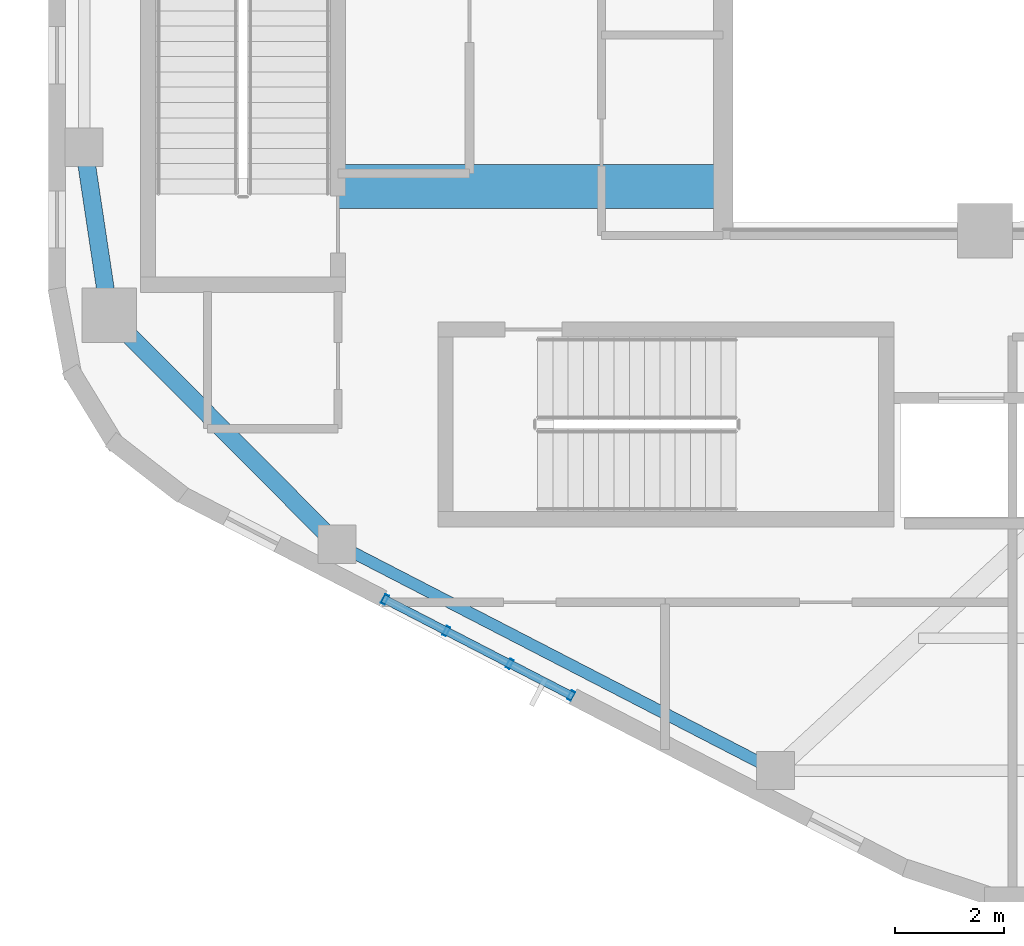
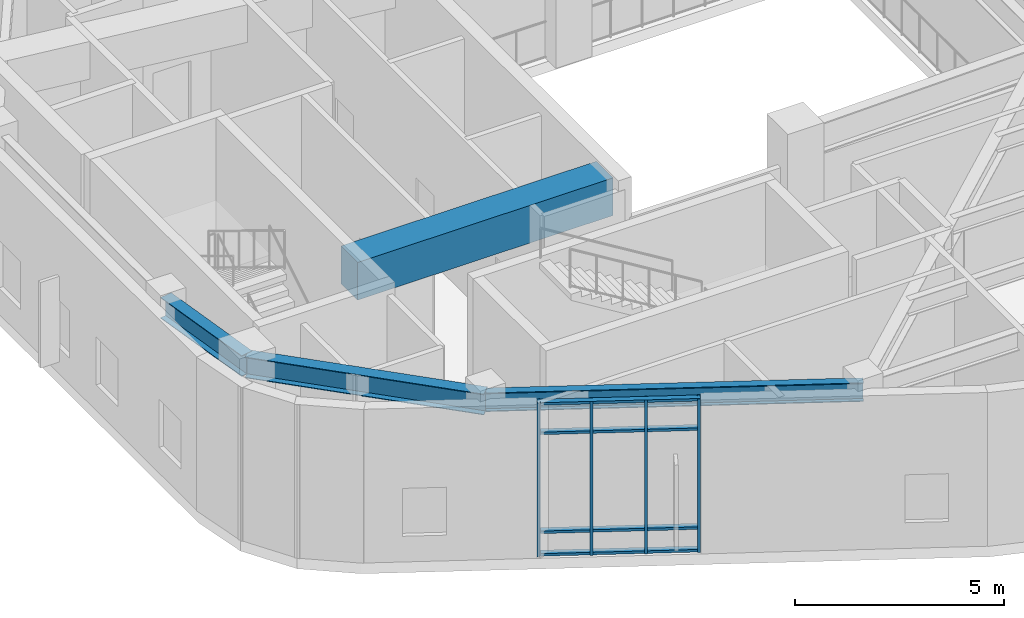
# One storey, part 2 of 19: 8 members, 4 beams, 1 element without a shape of its own.
"""IFC4 building model written with IfcOpenShell, lengths in metres."""

from ifc_helpers import new_model, si_unit, direction, frame, origin, origin_2d, place, context, subcontext, project, spatial, rectangle, hollow_rectangle, i_section, extrude, material, layer, layer_set, material_profile, profile_set, type_object, element, aggregate, save


model = new_model("IFC4")

# Units and contexts
model_context = context("Model", 3, precision=1e-05, world=origin(), true_north=direction((0.0, 1.0)))
body_context = subcontext(model_context, "Body", "Model", "MODEL_VIEW")
ifc_project = project(units=[si_unit("LENGTHUNIT", "METRE"), si_unit("AREAUNIT", "SQUARE_METRE"), si_unit("VOLUMEUNIT", "CUBIC_METRE"), si_unit("PLANEANGLEUNIT", "RADIAN"), si_unit("MASSUNIT", "GRAM", prefix="KILO"), si_unit("THERMODYNAMICTEMPERATUREUNIT", "KELVIN"), si_unit("POWERUNIT", "WATT")], contexts=[model_context])

# Site, building, storey
site_placement = place(None, origin())
site = spatial("IfcSite", under=ifc_project, at=site_placement, CompositionType="ELEMENT")
building_placement = place(site_placement, origin())
building = spatial("IfcBuilding", under=site, at=building_placement, Name="Skarre Station Tower", CompositionType="ELEMENT")
storey_placement = place(building_placement, frame((0.0, 0.0, 275.10009765625)))
storey = spatial("IfcBuildingStorey", under=building, at=storey_placement, Name="L75", CompositionType="ELEMENT", Elevation=275.10009765625)

# Curtain wall, members
ifc_material_1 = material(Name="Thermally Broken Bronze-Anodized Aluminium & Triple Low-E Glass", Category="aluminium")
ifc_layer = layer(ifc_material_1, 0.219970703125, Name="Thermally Broken Bronze-Anodized Aluminium & Triple Low-E Glass")
ifc_layer_set = layer_set([ifc_layer], Name="Thermally Broken Bronze-Anodized Aluminium & Triple Low-E Glass")
curtain_wall_type = type_object("IfcCurtainWallType", Name="Observation Deck Panorama Unitised Curtain Wall", PredefinedType="NOTDEFINED", material=ifc_layer_set)
curtain_wall_placement = place(storey_placement, origin())
curtain_wall = element("IfcCurtainWall", 1, at=curtain_wall_placement, inside=storey, type_object=curtain_wall_type, Name="L75 Facet 3 Observatory Curtain Wall", PredefinedType="NOTDEFINED")
ifc_material_2 = material(Name="Anodized Aluminium 6063-T6", Category="aluminium")
ifc_material_profile_1 = material_profile(ifc_material_2, hollow_rectangle(XDim=0.074951171875, YDim=0.14990234375, WallThickness=0.00390625, at=origin_2d()), Name="Anodized Aluminium 6063-T6")
ifc_profile_set_1 = profile_set([ifc_material_profile_1], Name="Anodized Aluminium 6063-T6")
member_type_1 = type_object("IfcMemberType", Name="Curtain-Wall Secondary Transom 150x75", PredefinedType="USERDEFINED", material=ifc_profile_set_1)
member_1_placement = place(storey_placement, frame((24.800048828125, 9.910888671875, 0.039794921875), z_axis=(-0.888483887895, 0.458907813128, 0.0), x_axis=(0.0, 0.0, 1.0)))
member_1 = element("IfcMember", 2, at=member_1_placement, type_object=member_type_1, Name="L75 Facet 3 Observatory Curtain Wall Transom 1", ObjectType="TRANSOM", PredefinedType="USERDEFINED", context=body_context, shape_type="SweptSolid", body=[
    extrude(hollow_rectangle(XDim=0.074951171875, YDim=0.14990234375, WallThickness=0.00390625, at=origin_2d()), origin(), (0.0, 0.0, 1.0), 3.92041015625),
])
member_2_placement = place(storey_placement, frame((24.800048828125, 9.910888671875, 0.699951171875), z_axis=(-0.888483887895, 0.458907813128, 0.0), x_axis=(0.0, 0.0, 1.0)))
member_2 = element("IfcMember", 3, at=member_2_placement, type_object=member_type_1, Name="L75 Facet 3 Observatory Curtain Wall Transom 2", ObjectType="TRANSOM", PredefinedType="USERDEFINED", context=body_context, shape_type="SweptSolid", body=[
    extrude(hollow_rectangle(XDim=0.074951171875, YDim=0.14990234375, WallThickness=0.00390625, at=origin_2d()), origin(), (0.0, 0.0, 1.0), 3.92041015625),
])
member_3_placement = place(storey_placement, frame((24.800048828125, 9.910888671875, 3.58984375), z_axis=(-0.888483887895, 0.458907813128, 0.0), x_axis=(0.0, 0.0, 1.0)))
member_3 = element("IfcMember", 4, at=member_3_placement, type_object=member_type_1, Name="L75 Facet 3 Observatory Curtain Wall Transom 3", ObjectType="TRANSOM", PredefinedType="USERDEFINED", context=body_context, shape_type="SweptSolid", body=[
    extrude(hollow_rectangle(XDim=0.074951171875, YDim=0.14990234375, WallThickness=0.00390625, at=origin_2d()), origin(), (0.0, 0.0, 1.0), 3.92041015625),
])
member_4_placement = place(storey_placement, frame((24.800048828125, 9.910888671875, 4.449951171875), z_axis=(-0.888483887895, 0.458907813128, 0.0), x_axis=(0.0, 0.0, 1.0)))
member_4 = element("IfcMember", 5, at=member_4_placement, type_object=member_type_1, Name="L75 Facet 3 Observatory Curtain Wall Transom 4", ObjectType="TRANSOM", PredefinedType="USERDEFINED", context=body_context, shape_type="SweptSolid", body=[
    extrude(hollow_rectangle(XDim=0.074951171875, YDim=0.14990234375, WallThickness=0.00390625, at=origin_2d()), origin(), (0.0, 0.0, 1.0), 3.92041015625),
])
ifc_material_profile_2 = material_profile(ifc_material_2, hollow_rectangle(XDim=0.074951171875, YDim=0.179931640625, WallThickness=0.00390625, at=origin_2d()), Name="Anodized Aluminium 6063-T6")
ifc_profile_set_2 = profile_set([ifc_material_profile_2], Name="Anodized Aluminium 6063-T6")
member_type_2 = type_object("IfcMemberType", Name="Curtain-Wall Unitised Tower Mullion 180x75", PredefinedType="MULLION", material=ifc_profile_set_2)
member_5_placement = place(storey_placement, frame((24.763916015625, 9.928955078125, 0.0), z_axis=(0.0, 0.0, 1.0), x_axis=(-0.88848110948, 0.458913192332, 0.0)))
member_5 = element("IfcMember", 6, at=member_5_placement, type_object=member_type_2, Name="L75 Facet 3 Observatory Curtain Wall Mullion 1", PredefinedType="MULLION", context=body_context, shape_type="SweptSolid", body=[
    extrude(hollow_rectangle(XDim=0.074951171875, YDim=0.179931640625, WallThickness=0.00390625, at=origin_2d()), origin(), (0.0, 0.0, 1.0), 4.489990234375),
])
member_6_placement = place(storey_placement, frame((23.638916015625, 10.510986328125, 0.0), z_axis=(0.0, 0.0, 1.0), x_axis=(-0.88848110948, 0.458913192332, 0.0)))
member_6 = element("IfcMember", 7, at=member_6_placement, type_object=member_type_2, Name="L75 Facet 3 Observatory Curtain Wall Mullion 2", PredefinedType="MULLION", context=body_context, shape_type="SweptSolid", body=[
    extrude(hollow_rectangle(XDim=0.074951171875, YDim=0.179931640625, WallThickness=0.00390625, at=origin_2d()), origin(), (0.0, 0.0, 1.0), 4.489990234375),
])
member_7_placement = place(storey_placement, frame((22.47802734375, 11.110107421875, 0.0), z_axis=(0.0, 0.0, 1.0), x_axis=(-0.88848110948, 0.458913192332, 0.0)))
member_7 = element("IfcMember", 8, at=member_7_placement, type_object=member_type_2, Name="L75 Facet 3 Observatory Curtain Wall Mullion 3", PredefinedType="MULLION", context=body_context, shape_type="SweptSolid", body=[
    extrude(hollow_rectangle(XDim=0.074951171875, YDim=0.179931640625, WallThickness=0.00390625, at=origin_2d()), origin(), (0.0, 0.0, 1.0), 4.489990234375),
])
member_8_placement = place(storey_placement, frame((21.35302734375, 11.69189453125, 0.0), z_axis=(0.0, 0.0, 1.0), x_axis=(-0.88848110948, 0.458913192332, 0.0)))
member_8 = element("IfcMember", 9, at=member_8_placement, type_object=member_type_2, Name="L75 Facet 3 Observatory Curtain Wall Mullion 4", PredefinedType="MULLION", context=body_context, shape_type="SweptSolid", body=[
    extrude(hollow_rectangle(XDim=0.074951171875, YDim=0.179931640625, WallThickness=0.00390625, at=origin_2d()), origin(), (0.0, 0.0, 1.0), 4.489990234375),
])
aggregate(curtain_wall, [member_5, member_6, member_7, member_8, member_1, member_2, member_3, member_4])

# Beams
ifc_material_3 = material(Name="Concrete C70/85", Category="concrete")
ifc_material_profile_3 = material_profile(ifc_material_3, rectangle(XDim=0.800048828125, YDim=1.10009765625, at=origin_2d()), Name="Concrete C70/85")
ifc_profile_set_3 = profile_set([ifc_material_profile_3], Name="Concrete C70/85")
beam_type_1 = type_object("IfcBeamType", Name="RC Core Coupling Lintel 800x1100", PredefinedType="LINTEL", material=ifc_profile_set_3)
beam_1_placement = place(storey_placement, frame((20.489990234375, 19.260009765625, 3.93994140625), z_axis=(1.0, 0.0, 0.0), x_axis=(0.0, 1.0, 0.0)))
element("IfcBeam", 10, at=beam_1_placement, inside=storey, type_object=beam_type_1, Name="L75 South Core Coupling Lintel", PredefinedType="LINTEL", context=body_context, shape_type="SweptSolid", body=[
    extrude(rectangle(XDim=0.800048828125, YDim=1.10009765625, at=origin_2d()), origin(), (0.0, 0.0, 1.0), 7.06005859375),
])
ifc_material_4 = material(Name="Steel ASTM A992 Grade 50", Category="steel")
ifc_material_profile_4 = material_profile(ifc_material_4, i_section(OverallWidth=0.323974609375, OverallDepth=0.611083984375, WebThickness=0.012939453125, FlangeThickness=0.01904296875, at=origin_2d()), Name="Steel ASTM A992 Grade 50")
ifc_profile_set_4 = profile_set([ifc_material_profile_4], Name="Steel ASTM A992 Grade 50")
beam_type_2 = type_object("IfcBeamType", Name="Steel Beam W24X104", PredefinedType="BEAM", material=ifc_profile_set_4)
beam_2_placement = place(storey_placement, frame((16.300048828125, 16.89990234375, 4.183837890625), z_axis=(-0.148739188492, 0.988876460336, 0.0), x_axis=(-0.988876460336, -0.148739188492, 0.0)))
element("IfcBeam", 11, at=beam_2_placement, inside=storey, type_object=beam_type_2, Name="L75 Radial Floor Girder F2C2", PredefinedType="BEAM", context=body_context, shape_type="SweptSolid", body=[
    extrude(i_section(OverallWidth=0.323974609375, OverallDepth=0.611083984375, WebThickness=0.012939453125, FlangeThickness=0.01904296875, at=origin_2d()), origin(), (0.0, 0.0, 1.0), 3.11376953125),
])
beam_3_placement = place(storey_placement, frame((16.300048828125, 16.89990234375, 4.183837890625), z_axis=(0.704979413242, -0.709227768002, 0.0), x_axis=(0.709227768002, 0.704979413242, 0.0)))
element("IfcBeam", 12, at=beam_3_placement, inside=storey, type_object=beam_type_2, Name="L75 Radial Floor Girder F3C1", PredefinedType="BEAM", context=body_context, shape_type="SweptSolid", body=[
    extrude(i_section(OverallWidth=0.323974609375, OverallDepth=0.611083984375, WebThickness=0.012939453125, FlangeThickness=0.01904296875, at=origin_2d()), origin(), (0.0, 0.0, 1.0), 5.919189453125),
])
ifc_material_profile_5 = material_profile(ifc_material_4, i_section(OverallWidth=0.214111328125, OverallDepth=0.549072265625, WebThickness=0.014892578125, FlangeThickness=0.02392578125, at=origin_2d()), Name="Steel ASTM A992 Grade 50")
ifc_profile_set_5 = profile_set([ifc_material_profile_5], Name="Steel ASTM A992 Grade 50")
beam_type_3 = type_object("IfcBeamType", Name="Steel Spandrel W21X93", PredefinedType="SPANDREL", material=ifc_profile_set_5)
beam_4_placement = place(storey_placement, frame((20.472900390625, 12.701904296875, 4.21484375), z_axis=(0.888610011727, -0.458663544505, 0.0), x_axis=(0.458663544505, 0.888610011727, 0.0)))
element("IfcBeam", 13, at=beam_4_placement, inside=storey, type_object=beam_type_3, Name="L75 Facet Spandrel Beam 7", PredefinedType="SPANDREL", context=body_context, shape_type="SweptSolid", body=[
    extrude(i_section(OverallWidth=0.214111328125, OverallDepth=0.549072265625, WebThickness=0.014892578125, FlangeThickness=0.02392578125, at=origin_2d()), origin(), (0.0, 0.0, 1.0), 9.045654296875),
])

save(model, "model.ifc")
